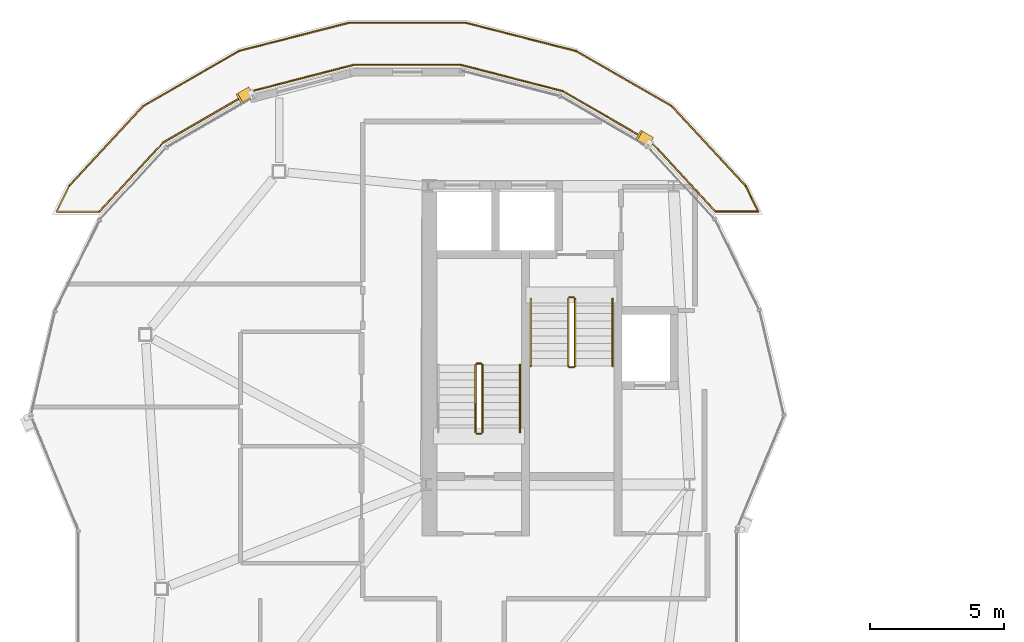
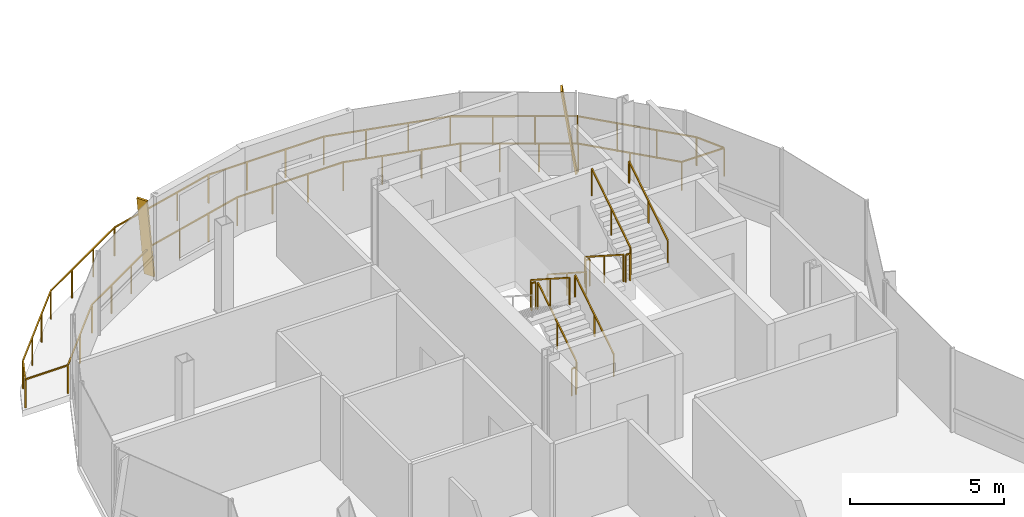
# One storey, part 18 of 20: 20 railings, 2 shading devices.
"""IFC4 building model written with IfcOpenShell, lengths in metres."""

from ifc_helpers import new_model, si_unit, direction, frame, origin, origin_2d, place, context, subcontext, project, spatial, rectangle, extrude, material, material_profile, profile_set, type_object, element, save


model = new_model("IFC4")

# Units and contexts
model_context = context("Model", 3, precision=1e-05, world=origin(), true_north=direction((0.0, 1.0)))
body_context = subcontext(model_context, "Body", "Model", "MODEL_VIEW")
ifc_project = project(units=[si_unit("LENGTHUNIT", "METRE"), si_unit("AREAUNIT", "SQUARE_METRE"), si_unit("VOLUMEUNIT", "CUBIC_METRE"), si_unit("PLANEANGLEUNIT", "RADIAN"), si_unit("MASSUNIT", "GRAM", prefix="KILO"), si_unit("THERMODYNAMICTEMPERATUREUNIT", "KELVIN"), si_unit("POWERUNIT", "WATT")], contexts=[model_context])

# Site, building, storey
site_placement = place(None, origin())
site = spatial("IfcSite", under=ifc_project, at=site_placement, CompositionType="ELEMENT")
building_placement = place(site_placement, origin())
building = spatial("IfcBuilding", under=site, at=building_placement, Name="Cundina Bronze Exchange", CompositionType="ELEMENT")
storey_placement = place(building_placement, frame((0.0, 0.0, 282.800048828125)))
storey = spatial("IfcBuildingStorey", under=building, at=storey_placement, Name="L75", CompositionType="ELEMENT", Elevation=282.800048828125)

# Railings
ifc_material_1 = material(Name="Heat-Strengthened Solar-Control Bronze Safety Glass 28mm", Category="glass")
railing_type_1 = type_object("IfcRailingType", Name="RLG-BAL-1150", PredefinedType="BALUSTRADE", material=ifc_material_1)
railing_1_placement = place(storey_placement, frame((-44.640625, 15.07470703125, 0.0)))
element("IfcRailing", 1, at=railing_1_placement, inside=storey, type_object=railing_type_1, Name="L75 Perimeter Safety Guardrail 01", PredefinedType="BALUSTRADE", context=body_context, shape_type="SweptSolid", body=[
    extrude(rectangle(XDim=0.048095703125, YDim=0.048095703125, at=origin_2d()), frame((0.0, 0.0, 1.1259765625), z_axis=(0.680478858048, 0.732767714729, 0.0), x_axis=(-0.732767714729, 0.680478858048, 0.0)), (0.0, 0.0, 1.0), 4.048095703125),
    extrude(rectangle(XDim=0.048095703125, YDim=0.048095703125, at=origin_2d()), frame((2.754638671875, 2.96630859375, 1.1259765625), z_axis=(0.866464594672, 0.499238526338, 0.0), x_axis=(-0.499238526338, 0.866464594672, 0.0)), (0.0, 0.0, 1.0), 4.13525390625),
    extrude(rectangle(XDim=0.0419921875, YDim=0.0419921875, at=origin_2d()), origin(), (0.0, 0.0, 1.0), 1.101806640625),
    extrude(rectangle(XDim=0.0419921875, YDim=0.0419921875, at=origin_2d()), frame((0.918212890625, 0.98876953125, 0.0)), (0.0, 0.0, 1.0), 1.101806640625),
    extrude(rectangle(XDim=0.0419921875, YDim=0.0419921875, at=origin_2d()), frame((1.83642578125, 1.9775390625, 0.0)), (0.0, 0.0, 1.0), 1.101806640625),
    extrude(rectangle(XDim=0.0419921875, YDim=0.0419921875, at=origin_2d()), frame((2.754638671875, 2.96630859375, 0.0)), (0.0, 0.0, 1.0), 1.101806640625),
    extrude(rectangle(XDim=0.0419921875, YDim=0.0419921875, at=origin_2d()), frame((3.948974609375, 3.654541015625, 0.0)), (0.0, 0.0, 1.0), 1.101806640625),
    extrude(rectangle(XDim=0.0419921875, YDim=0.0419921875, at=origin_2d()), frame((5.143310546875, 4.342529296875, 0.0)), (0.0, 0.0, 1.0), 1.101806640625),
    extrude(rectangle(XDim=0.0419921875, YDim=0.0419921875, at=origin_2d()), frame((6.337646484375, 5.03076171875, 0.0)), (0.0, 0.0, 1.0), 1.101806640625),
])
railing_2_placement = place(storey_placement, frame((-38.302978515625, 20.10546875, 0.0)))
element("IfcRailing", 2, at=railing_2_placement, inside=storey, type_object=railing_type_1, Name="L75 Perimeter Safety Guardrail 02", PredefinedType="BALUSTRADE", context=body_context, shape_type="SweptSolid", body=[
    extrude(rectangle(XDim=0.048095703125, YDim=0.048095703125, at=origin_2d()), frame((0.0, 0.0, 1.1259765625), z_axis=(0.968741395097, 0.248072790578, 0.0), x_axis=(-0.248072790578, 0.968741395097, 0.0)), (0.0, 0.0, 1.0), 4.271240234375),
    extrude(rectangle(XDim=0.048095703125, YDim=0.048095703125, at=origin_2d()), frame((4.1376953125, 1.0595703125, 1.1259765625), z_axis=(1.0, 0.0, 0.0), x_axis=(0.0, 1.0, 0.0)), (0.0, 0.0, 1.0), 4.33056640625),
    extrude(rectangle(XDim=0.0419921875, YDim=0.0419921875, at=origin_2d()), origin(), (0.0, 0.0, 1.0), 1.101806640625),
    extrude(rectangle(XDim=0.0419921875, YDim=0.0419921875, at=origin_2d()), frame((1.379150390625, 0.353271484375, 0.0)), (0.0, 0.0, 1.0), 1.101806640625),
    extrude(rectangle(XDim=0.0419921875, YDim=0.0419921875, at=origin_2d()), frame((2.758544921875, 0.706298828125, 0.0)), (0.0, 0.0, 1.0), 1.101806640625),
    extrude(rectangle(XDim=0.0419921875, YDim=0.0419921875, at=origin_2d()), frame((4.1376953125, 1.0595703125, 0.0)), (0.0, 0.0, 1.0), 1.101806640625),
    extrude(rectangle(XDim=0.0419921875, YDim=0.0419921875, at=origin_2d()), frame((5.581298828125, 1.0595703125, 0.0)), (0.0, 0.0, 1.0), 1.101806640625),
    extrude(rectangle(XDim=0.0419921875, YDim=0.0419921875, at=origin_2d()), frame((7.024658203125, 1.0595703125, 0.0)), (0.0, 0.0, 1.0), 1.101806640625),
    extrude(rectangle(XDim=0.0419921875, YDim=0.0419921875, at=origin_2d()), frame((8.46826171875, 1.0595703125, 0.0)), (0.0, 0.0, 1.0), 1.101806640625),
])
railing_3_placement = place(storey_placement, frame((-29.834716796875, 21.1650390625, 0.0)))
element("IfcRailing", 3, at=railing_3_placement, inside=storey, type_object=railing_type_1, Name="L75 Perimeter Safety Guardrail 03", PredefinedType="BALUSTRADE", context=body_context, shape_type="SweptSolid", body=[
    extrude(rectangle(XDim=0.048095703125, YDim=0.048095703125, at=origin_2d()), frame((0.0, 0.0, 1.1259765625), z_axis=(0.968741395097, -0.248072790578, 0.0), x_axis=(0.248072790578, 0.968741395097, 0.0)), (0.0, 0.0, 1.0), 4.271240234375),
    extrude(rectangle(XDim=0.048095703125, YDim=0.048095703125, at=origin_2d()), frame((4.1376953125, -1.0595703125, 1.1259765625), z_axis=(0.866464594672, -0.499238526338, 0.0), x_axis=(0.499238526338, 0.866464594672, 0.0)), (0.0, 0.0, 1.0), 4.13525390625),
    extrude(rectangle(XDim=0.0419921875, YDim=0.0419921875, at=origin_2d()), origin(), (0.0, 0.0, 1.0), 1.101806640625),
    extrude(rectangle(XDim=0.0419921875, YDim=0.0419921875, at=origin_2d()), frame((1.379150390625, -0.353271484375, 0.0)), (0.0, 0.0, 1.0), 1.101806640625),
    extrude(rectangle(XDim=0.0419921875, YDim=0.0419921875, at=origin_2d()), frame((2.758544921875, -0.706298828125, 0.0)), (0.0, 0.0, 1.0), 1.101806640625),
    extrude(rectangle(XDim=0.0419921875, YDim=0.0419921875, at=origin_2d()), frame((4.1376953125, -1.0595703125, 0.0)), (0.0, 0.0, 1.0), 1.101806640625),
    extrude(rectangle(XDim=0.0419921875, YDim=0.0419921875, at=origin_2d()), frame((5.33203125, -1.747802734375, 0.0)), (0.0, 0.0, 1.0), 1.101806640625),
    extrude(rectangle(XDim=0.0419921875, YDim=0.0419921875, at=origin_2d()), frame((6.5263671875, -2.435791015625, 0.0)), (0.0, 0.0, 1.0), 1.101806640625),
    extrude(rectangle(XDim=0.0419921875, YDim=0.0419921875, at=origin_2d()), frame((7.720703125, -3.1240234375, 0.0)), (0.0, 0.0, 1.0), 1.101806640625),
])
railing_4_placement = place(storey_placement, frame((-22.114013671875, 18.041015625, 0.0)))
element("IfcRailing", 4, at=railing_4_placement, inside=storey, type_object=railing_type_1, Name="L75 Perimeter Safety Guardrail 04", PredefinedType="BALUSTRADE", context=body_context, shape_type="SweptSolid", body=[
    extrude(rectangle(XDim=0.048095703125, YDim=0.048095703125, at=origin_2d()), frame((0.0, 0.0, 1.1259765625), z_axis=(0.680478858048, -0.732767714729, 0.0), x_axis=(0.732767714729, 0.680478858048, 0.0)), (0.0, 0.0, 1.0), 4.048095703125),
    extrude(rectangle(XDim=0.048095703125, YDim=0.048095703125, at=origin_2d()), frame((2.754638671875, -2.96630859375, 1.1259765625), z_axis=(0.43927470941, -0.898352786868, 0.0), x_axis=(0.898352786868, 0.43927470941, 0.0)), (0.0, 0.0, 1.0), 1.0849609375),
    extrude(rectangle(XDim=0.0419921875, YDim=0.0419921875, at=origin_2d()), origin(), (0.0, 0.0, 1.0), 1.101806640625),
    extrude(rectangle(XDim=0.0419921875, YDim=0.0419921875, at=origin_2d()), frame((0.918212890625, -0.98876953125, 0.0)), (0.0, 0.0, 1.0), 1.101806640625),
    extrude(rectangle(XDim=0.0419921875, YDim=0.0419921875, at=origin_2d()), frame((1.83642578125, -1.9775390625, 0.0)), (0.0, 0.0, 1.0), 1.101806640625),
    extrude(rectangle(XDim=0.0419921875, YDim=0.0419921875, at=origin_2d()), frame((2.754638671875, -2.96630859375, 0.0)), (0.0, 0.0, 1.0), 1.101806640625),
    extrude(rectangle(XDim=0.0419921875, YDim=0.0419921875, at=origin_2d()), frame((3.231201171875, -3.94091796875, 0.0)), (0.0, 0.0, 1.0), 1.101806640625),
])
railing_5_placement = place(storey_placement, frame((-18.8828125, 14.10009765625, 0.0)))
element("IfcRailing", 5, at=railing_5_placement, inside=storey, type_object=railing_type_1, Name="L75 Perimeter Safety Guardrail 05", PredefinedType="BALUSTRADE", context=body_context, shape_type="SweptSolid", body=[
    extrude(rectangle(XDim=0.048095703125, YDim=0.048095703125, at=origin_2d()), frame((0.0, 0.0, 1.1259765625), z_axis=(-1.0, 0.0, 0.0), x_axis=(0.0, -1.0, 0.0)), (0.0, 0.0, 1.0), 1.595458984375),
    extrude(rectangle(XDim=0.048095703125, YDim=0.048095703125, at=origin_2d()), frame((-1.595458984375, 0.0, 1.1259765625), z_axis=(-0.679395599719, 0.733772184729, 0.0), x_axis=(-0.733772184729, -0.679395599719, 0.0)), (0.0, 0.0, 1.0), 3.5244140625),
    extrude(rectangle(XDim=0.0419921875, YDim=0.0419921875, at=origin_2d()), origin(), (0.0, 0.0, 1.0), 1.101806640625),
    extrude(rectangle(XDim=0.0419921875, YDim=0.0419921875, at=origin_2d()), frame((-1.595458984375, 0.0, 0.0)), (0.0, 0.0, 1.0), 1.101806640625),
    extrude(rectangle(XDim=0.0419921875, YDim=0.0419921875, at=origin_2d()), frame((-2.792724609375, 1.29296875, 0.0)), (0.0, 0.0, 1.0), 1.101806640625),
    extrude(rectangle(XDim=0.0419921875, YDim=0.0419921875, at=origin_2d()), frame((-3.989990234375, 2.586181640625, 0.0)), (0.0, 0.0, 1.0), 1.101806640625),
])
railing_6_placement = place(storey_placement, frame((-22.872802734375, 16.686279296875, 0.0)))
element("IfcRailing", 6, at=railing_6_placement, inside=storey, type_object=railing_type_1, Name="L75 Perimeter Safety Guardrail 06", PredefinedType="BALUSTRADE", context=body_context, shape_type="SweptSolid", body=[
    extrude(rectangle(XDim=0.048095703125, YDim=0.048095703125, at=origin_2d()), frame((0.0, 0.0, 1.1259765625), z_axis=(-0.86517535854, 0.501469439721, 0.0), x_axis=(-0.501469439721, -0.86517535854, 0.0)), (0.0, 0.0, 1.0), 3.82080078125),
    extrude(rectangle(XDim=0.048095703125, YDim=0.048095703125, at=origin_2d()), frame((-3.3056640625, 1.916015625, 1.1259765625), z_axis=(-0.968310500269, 0.249749424563, 0.0), x_axis=(-0.249749424563, -0.968310500269, 0.0)), (0.0, 0.0, 1.0), 3.9619140625),
    extrude(rectangle(XDim=0.0419921875, YDim=0.0419921875, at=origin_2d()), origin(), (0.0, 0.0, 1.0), 1.101806640625),
    extrude(rectangle(XDim=0.0419921875, YDim=0.0419921875, at=origin_2d()), frame((-1.101806640625, 0.638671875, 0.0)), (0.0, 0.0, 1.0), 1.101806640625),
    extrude(rectangle(XDim=0.0419921875, YDim=0.0419921875, at=origin_2d()), frame((-2.203857421875, 1.27734375, 0.0)), (0.0, 0.0, 1.0), 1.101806640625),
    extrude(rectangle(XDim=0.0419921875, YDim=0.0419921875, at=origin_2d()), frame((-3.3056640625, 1.916015625, 0.0)), (0.0, 0.0, 1.0), 1.101806640625),
    extrude(rectangle(XDim=0.0419921875, YDim=0.0419921875, at=origin_2d()), frame((-4.58447265625, 2.245849609375, 0.0)), (0.0, 0.0, 1.0), 1.101806640625),
    extrude(rectangle(XDim=0.0419921875, YDim=0.0419921875, at=origin_2d()), frame((-5.86328125, 2.57568359375, 0.0)), (0.0, 0.0, 1.0), 1.101806640625),
    extrude(rectangle(XDim=0.0419921875, YDim=0.0419921875, at=origin_2d()), frame((-7.14208984375, 2.905517578125, 0.0)), (0.0, 0.0, 1.0), 1.101806640625),
])
railing_7_placement = place(storey_placement, frame((-30.014892578125, 19.591796875, 0.0)))
element("IfcRailing", 7, at=railing_7_placement, inside=storey, type_object=railing_type_1, Name="L75 Perimeter Safety Guardrail 07", PredefinedType="BALUSTRADE", context=body_context, shape_type="SweptSolid", body=[
    extrude(rectangle(XDim=0.048095703125, YDim=0.048095703125, at=origin_2d()), frame((0.0, 0.0, 1.1259765625), z_axis=(-0.999999992474, -0.000122684332, 0.0), x_axis=(0.000122684332, -0.999999992474, 0.0)), (0.0, 0.0, 1.0), 3.97998046875),
    extrude(rectangle(XDim=0.048095703125, YDim=0.048095703125, at=origin_2d()), frame((-3.97998046875, -0.00048828125, 1.1259765625), z_axis=(-0.968349470457, -0.249598283379, 0.0), x_axis=(0.249598283379, -0.968349470457, 0.0)), (0.0, 0.0, 1.0), 3.93310546875),
    extrude(rectangle(XDim=0.0419921875, YDim=0.0419921875, at=origin_2d()), origin(), (0.0, 0.0, 1.0), 1.101806640625),
    extrude(rectangle(XDim=0.0419921875, YDim=0.0419921875, at=origin_2d()), frame((-1.32666015625, -0.000244140625, 0.0)), (0.0, 0.0, 1.0), 1.101806640625),
    extrude(rectangle(XDim=0.0419921875, YDim=0.0419921875, at=origin_2d()), frame((-2.6533203125, -0.000244140625, 0.0)), (0.0, 0.0, 1.0), 1.101806640625),
    extrude(rectangle(XDim=0.0419921875, YDim=0.0419921875, at=origin_2d()), frame((-3.97998046875, -0.00048828125, 0.0)), (0.0, 0.0, 1.0), 1.101806640625),
    extrude(rectangle(XDim=0.0419921875, YDim=0.0419921875, at=origin_2d()), frame((-5.24951171875, -0.32763671875, 0.0)), (0.0, 0.0, 1.0), 1.101806640625),
    extrude(rectangle(XDim=0.0419921875, YDim=0.0419921875, at=origin_2d()), frame((-6.51904296875, -0.655029296875, 0.0)), (0.0, 0.0, 1.0), 1.101806640625),
    extrude(rectangle(XDim=0.0419921875, YDim=0.0419921875, at=origin_2d()), frame((-7.78857421875, -0.982177734375, 0.0)), (0.0, 0.0, 1.0), 1.101806640625),
])
railing_8_placement = place(storey_placement, frame((-37.803466796875, 18.609619140625, 0.0)))
element("IfcRailing", 8, at=railing_8_placement, inside=storey, type_object=railing_type_1, Name="L75 Perimeter Safety Guardrail 08", PredefinedType="BALUSTRADE", context=body_context, shape_type="SweptSolid", body=[
    extrude(rectangle(XDim=0.048095703125, YDim=0.048095703125, at=origin_2d()), frame((0.0, 0.0, 1.1259765625), z_axis=(-0.865530732652, -0.50085581841, 0.0), x_axis=(0.50085581841, -0.865530732652, 0.0)), (0.0, 0.0, 1.0), 3.840087890625),
    extrude(rectangle(XDim=0.048095703125, YDim=0.048095703125, at=origin_2d()), frame((-3.32373046875, -1.92333984375, 1.1259765625), z_axis=(-0.679395599719, -0.733772184729, 0.0), x_axis=(0.733772184729, -0.679395599719, 0.0)), (0.0, 0.0, 1.0), 3.5244140625),
    extrude(rectangle(XDim=0.0419921875, YDim=0.0419921875, at=origin_2d()), origin(), (0.0, 0.0, 1.0), 1.101806640625),
    extrude(rectangle(XDim=0.0419921875, YDim=0.0419921875, at=origin_2d()), frame((-1.10791015625, -0.64111328125, 0.0)), (0.0, 0.0, 1.0), 1.101806640625),
    extrude(rectangle(XDim=0.0419921875, YDim=0.0419921875, at=origin_2d()), frame((-2.2158203125, -1.2822265625, 0.0)), (0.0, 0.0, 1.0), 1.101806640625),
    extrude(rectangle(XDim=0.0419921875, YDim=0.0419921875, at=origin_2d()), frame((-3.32373046875, -1.92333984375, 0.0)), (0.0, 0.0, 1.0), 1.101806640625),
    extrude(rectangle(XDim=0.0419921875, YDim=0.0419921875, at=origin_2d()), frame((-4.52099609375, -3.21630859375, 0.0)), (0.0, 0.0, 1.0), 1.101806640625),
    extrude(rectangle(XDim=0.0419921875, YDim=0.0419921875, at=origin_2d()), frame((-5.71826171875, -4.509521484375, 0.0)), (0.0, 0.0, 1.0), 1.101806640625),
])
railing_9_placement = place(storey_placement, frame((-43.521728515625, 14.10009765625, 0.0)))
element("IfcRailing", 9, at=railing_9_placement, inside=storey, type_object=railing_type_1, Name="L75 Perimeter Safety Guardrail 09", PredefinedType="BALUSTRADE", context=body_context, shape_type="SweptSolid", body=[
    extrude(rectangle(XDim=0.048095703125, YDim=0.048095703125, at=origin_2d()), frame((0.0, 0.0, 1.1259765625), z_axis=(-1.0, 0.0, 0.0), x_axis=(0.0, -1.0, 0.0)), (0.0, 0.0, 1.0), 1.595458984375),
    extrude(rectangle(XDim=0.048095703125, YDim=0.048095703125, at=origin_2d()), frame((-1.595458984375, 0.0, 1.1259765625), z_axis=(0.43927470941, 0.898352786868, 0.0), x_axis=(-0.898352786868, 0.43927470941, 0.0)), (0.0, 0.0, 1.0), 1.0849609375),
    extrude(rectangle(XDim=0.0419921875, YDim=0.0419921875, at=origin_2d()), origin(), (0.0, 0.0, 1.0), 1.101806640625),
    extrude(rectangle(XDim=0.0419921875, YDim=0.0419921875, at=origin_2d()), frame((-1.595458984375, 0.0, 0.0)), (0.0, 0.0, 1.0), 1.101806640625),
    extrude(rectangle(XDim=0.0419921875, YDim=0.0419921875, at=origin_2d()), frame((-1.118896484375, 0.974609375, 0.0)), (0.0, 0.0, 1.0), 1.101806640625),
])
ifc_material_2 = material(Name="Steel ASTM A36 Painted", Category="steel")
railing_type_2 = type_object("IfcRailingType", Name="RLG-HND-900", PredefinedType="HANDRAIL", material=ifc_material_2)
railing_10_placement = place(storey_placement, frame((-27.7900390625, 5.85009765625, 0.179931640625)))
element("IfcRailing", 10, at=railing_10_placement, inside=storey, type_object=railing_type_2, Name="L75 ST-W1 stair handrail 1", PredefinedType="HANDRAIL", context=body_context, shape_type="SweptSolid", body=[
    extrude(rectangle(XDim=0.048095703125, YDim=0.048095703125, at=origin_2d()), frame((0.0, 0.0, 0.8759765625), z_axis=(0.0, 0.841162588446, 0.540782303519), x_axis=(-1.0, 0.0, 0.0)), (0.0, 0.0, 1.0), 2.995849609375),
    extrude(rectangle(XDim=0.0419921875, YDim=0.0419921875, at=origin_2d()), origin(), (0.0, 0.0, 1.0), 0.851806640625),
    extrude(rectangle(XDim=0.0419921875, YDim=0.0419921875, at=origin_2d()), frame((0.0, 1.260009765625, 0.81005859375)), (0.0, 0.0, 1.0), 0.851806640625),
    extrude(rectangle(XDim=0.0419921875, YDim=0.0419921875, at=origin_2d()), frame((0.0, 2.52001953125, 1.6201171875)), (0.0, 0.0, 1.0), 0.851806640625),
])
railing_11_placement = place(storey_placement, frame((-27.389892578125, 10.85009765625, 0.179931640625)))
element("IfcRailing", 11, at=railing_11_placement, inside=storey, type_object=railing_type_2, Name="L75 ST-W2 stair handrail 1", PredefinedType="HANDRAIL", context=body_context, shape_type="SweptSolid", body=[
    extrude(rectangle(XDim=0.048095703125, YDim=0.048095703125, at=origin_2d()), frame((0.0, 0.0, 0.8759765625), z_axis=(0.0, -0.841162588446, 0.540782303519), x_axis=(1.0, 0.0, 0.0)), (0.0, 0.0, 1.0), 2.995849609375),
    extrude(rectangle(XDim=0.0419921875, YDim=0.0419921875, at=origin_2d()), origin(), (0.0, 0.0, 1.0), 0.851806640625),
    extrude(rectangle(XDim=0.0419921875, YDim=0.0419921875, at=origin_2d()), frame((0.0, -1.260009765625, 0.81005859375)), (0.0, 0.0, 1.0), 0.851806640625),
    extrude(rectangle(XDim=0.0419921875, YDim=0.0419921875, at=origin_2d()), frame((0.0, -2.52001953125, 1.6201171875)), (0.0, 0.0, 1.0), 0.851806640625),
])
railing_12_placement = place(storey_placement, frame((-24.330078125, 8.330078125, 1.97998046875)))
element("IfcRailing", 12, at=railing_12_placement, inside=storey, type_object=railing_type_2, Name="L75 ST-W2 stair handrail 2", PredefinedType="HANDRAIL", context=body_context, shape_type="SweptSolid", body=[
    extrude(rectangle(XDim=0.048095703125, YDim=0.048095703125, at=origin_2d()), frame((0.0, 0.0, 0.8759765625), z_axis=(0.0, 0.841199657755, 0.540724639528), x_axis=(-1.0, 0.0, 0.0)), (0.0, 0.0, 1.0), 2.995849609375),
    extrude(rectangle(XDim=0.0419921875, YDim=0.0419921875, at=origin_2d()), origin(), (0.0, 0.0, 1.0), 0.851806640625),
    extrude(rectangle(XDim=0.0419921875, YDim=0.0419921875, at=origin_2d()), frame((0.0, 1.260009765625, 0.81005859375)), (0.0, 0.0, 1.0), 0.851806640625),
    extrude(rectangle(XDim=0.0419921875, YDim=0.0419921875, at=origin_2d()), frame((0.0, 2.52001953125, 1.619873046875)), (0.0, 0.0, 1.0), 0.851806640625),
])
railing_type_3 = type_object("IfcRailingType", Name="RLG-STG-1100", PredefinedType="GUARDRAIL", material=ifc_material_2)
railing_13_placement = place(storey_placement, frame((-29.18994140625, 5.85009765625, 0.179931640625)))
element("IfcRailing", 13, at=railing_13_placement, inside=storey, type_object=railing_type_3, Name="L75 ST-W1 stair guard 1", PredefinedType="GUARDRAIL", context=body_context, shape_type="SweptSolid", body=[
    extrude(rectangle(XDim=0.048095703125, YDim=0.048095703125, at=origin_2d()), frame((0.0, 0.0, 1.076171875), z_axis=(0.0, 0.841162588446, 0.540782303519), x_axis=(-1.0, 0.0, 0.0)), (0.0, 0.0, 1.0), 2.995849609375),
    extrude(rectangle(XDim=0.0419921875, YDim=0.0419921875, at=origin_2d()), origin(), (0.0, 0.0, 1.0), 1.052001953125),
    extrude(rectangle(XDim=0.0419921875, YDim=0.0419921875, at=origin_2d()), frame((0.0, 1.260009765625, 0.81005859375)), (0.0, 0.0, 1.0), 1.052001953125),
    extrude(rectangle(XDim=0.0419921875, YDim=0.0419921875, at=origin_2d()), frame((0.0, 2.52001953125, 1.6201171875)), (0.0, 0.0, 1.0), 1.052001953125),
])
railing_14_placement = place(storey_placement, frame((-29.239990234375, 8.419921875, 1.800048828125)))
element("IfcRailing", 14, at=railing_14_placement, inside=storey, type_object=railing_type_3, Name="L75 ST-W1 stair guard 2", PredefinedType="GUARDRAIL", context=body_context, shape_type="SweptSolid", body=[
    extrude(rectangle(XDim=0.048095703125, YDim=0.048095703125, at=origin_2d()), frame((0.0, 0.0, 1.076171875), z_axis=(-1.0, 0.0, 0.0), x_axis=(0.0, -1.0, 0.0)), (0.0, 0.0, 1.0), 0.159912109375),
    extrude(rectangle(XDim=0.0419921875, YDim=0.0419921875, at=origin_2d()), origin(), (0.0, 0.0, 1.0), 1.052001953125),
    extrude(rectangle(XDim=0.0419921875, YDim=0.0419921875, at=origin_2d()), frame((-0.159912109375, 0.0, 0.0)), (0.0, 0.0, 1.0), 1.052001953125),
])
railing_15_placement = place(storey_placement, frame((-29.449951171875, 8.3701171875, 1.97998046875)))
element("IfcRailing", 15, at=railing_15_placement, inside=storey, type_object=railing_type_3, Name="L75 ST-W1 stair guard 3", PredefinedType="GUARDRAIL", context=body_context, shape_type="SweptSolid", body=[
    extrude(rectangle(XDim=0.048095703125, YDim=0.048095703125, at=origin_2d()), frame((0.0, 0.0, 1.076171875), z_axis=(0.0, -0.841199657755, 0.540724639528), x_axis=(1.0, 0.0, 0.0)), (0.0, 0.0, 1.0), 2.995849609375),
    extrude(rectangle(XDim=0.0419921875, YDim=0.0419921875, at=origin_2d()), origin(), (0.0, 0.0, 1.0), 1.052001953125),
    extrude(rectangle(XDim=0.0419921875, YDim=0.0419921875, at=origin_2d()), frame((0.0, -1.260009765625, 0.81005859375)), (0.0, 0.0, 1.0), 1.052001953125),
    extrude(rectangle(XDim=0.0419921875, YDim=0.0419921875, at=origin_2d()), frame((0.0, -2.52001953125, 1.619873046875)), (0.0, 0.0, 1.0), 1.052001953125),
])
railing_16_placement = place(storey_placement, frame((-29.239990234375, 5.800048828125, 0.0)))
element("IfcRailing", 16, at=railing_16_placement, inside=storey, type_object=railing_type_3, Name="L75 ST-W1 stair guard 4", PredefinedType="GUARDRAIL", context=body_context, shape_type="SweptSolid", body=[
    extrude(rectangle(XDim=0.048095703125, YDim=0.048095703125, at=origin_2d()), frame((0.0, 0.0, 1.076171875), z_axis=(-1.0, 0.0, 0.0), x_axis=(0.0, -1.0, 0.0)), (0.0, 0.0, 1.0), 0.159912109375),
    extrude(rectangle(XDim=0.0419921875, YDim=0.0419921875, at=origin_2d()), origin(), (0.0, 0.0, 1.0), 1.052001953125),
    extrude(rectangle(XDim=0.0419921875, YDim=0.0419921875, at=origin_2d()), frame((-0.159912109375, 0.0, 0.0)), (0.0, 0.0, 1.0), 1.052001953125),
])
railing_17_placement = place(storey_placement, frame((-25.989990234375, 10.85009765625, 0.179931640625)))
element("IfcRailing", 17, at=railing_17_placement, inside=storey, type_object=railing_type_3, Name="L75 ST-W2 stair guard 1", PredefinedType="GUARDRAIL", context=body_context, shape_type="SweptSolid", body=[
    extrude(rectangle(XDim=0.048095703125, YDim=0.048095703125, at=origin_2d()), frame((0.0, 0.0, 1.076171875), z_axis=(0.0, -0.841162588446, 0.540782303519), x_axis=(1.0, 0.0, 0.0)), (0.0, 0.0, 1.0), 2.995849609375),
    extrude(rectangle(XDim=0.0419921875, YDim=0.0419921875, at=origin_2d()), origin(), (0.0, 0.0, 1.0), 1.052001953125),
    extrude(rectangle(XDim=0.0419921875, YDim=0.0419921875, at=origin_2d()), frame((0.0, -1.260009765625, 0.81005859375)), (0.0, 0.0, 1.0), 1.052001953125),
    extrude(rectangle(XDim=0.0419921875, YDim=0.0419921875, at=origin_2d()), frame((0.0, -2.52001953125, 1.6201171875)), (0.0, 0.0, 1.0), 1.052001953125),
])
railing_18_placement = place(storey_placement, frame((-25.93994140625, 8.280029296875, 1.800048828125)))
element("IfcRailing", 18, at=railing_18_placement, inside=storey, type_object=railing_type_3, Name="L75 ST-W2 stair guard 2", PredefinedType="GUARDRAIL", context=body_context, shape_type="SweptSolid", body=[
    extrude(rectangle(XDim=0.048095703125, YDim=0.048095703125, at=origin_2d()), frame((0.0, 0.0, 1.076171875), z_axis=(1.0, 0.0, 0.0), x_axis=(0.0, 1.0, 0.0)), (0.0, 0.0, 1.0), 0.159912109375),
    extrude(rectangle(XDim=0.0419921875, YDim=0.0419921875, at=origin_2d()), origin(), (0.0, 0.0, 1.0), 1.052001953125),
    extrude(rectangle(XDim=0.0419921875, YDim=0.0419921875, at=origin_2d()), frame((0.159912109375, 0.0, 0.0)), (0.0, 0.0, 1.0), 1.052001953125),
])
railing_19_placement = place(storey_placement, frame((-25.72998046875, 8.330078125, 1.97998046875)))
element("IfcRailing", 19, at=railing_19_placement, inside=storey, type_object=railing_type_3, Name="L75 ST-W2 stair guard 3", PredefinedType="GUARDRAIL", context=body_context, shape_type="SweptSolid", body=[
    extrude(rectangle(XDim=0.048095703125, YDim=0.048095703125, at=origin_2d()), frame((0.0, 0.0, 1.076171875), z_axis=(0.0, 0.841199657755, 0.540724639528), x_axis=(-1.0, 0.0, 0.0)), (0.0, 0.0, 1.0), 2.995849609375),
    extrude(rectangle(XDim=0.0419921875, YDim=0.0419921875, at=origin_2d()), origin(), (0.0, 0.0, 1.0), 1.052001953125),
    extrude(rectangle(XDim=0.0419921875, YDim=0.0419921875, at=origin_2d()), frame((0.0, 1.260009765625, 0.81005859375)), (0.0, 0.0, 1.0), 1.052001953125),
    extrude(rectangle(XDim=0.0419921875, YDim=0.0419921875, at=origin_2d()), frame((0.0, 2.52001953125, 1.619873046875)), (0.0, 0.0, 1.0), 1.052001953125),
])
railing_20_placement = place(storey_placement, frame((-25.93994140625, 10.89990234375, 0.0)))
element("IfcRailing", 20, at=railing_20_placement, inside=storey, type_object=railing_type_3, Name="L75 ST-W2 stair guard 4", PredefinedType="GUARDRAIL", context=body_context, shape_type="SweptSolid", body=[
    extrude(rectangle(XDim=0.048095703125, YDim=0.048095703125, at=origin_2d()), frame((0.0, 0.0, 1.076171875), z_axis=(1.0, 0.0, 0.0), x_axis=(0.0, 1.0, 0.0)), (0.0, 0.0, 1.0), 0.159912109375),
    extrude(rectangle(XDim=0.0419921875, YDim=0.0419921875, at=origin_2d()), origin(), (0.0, 0.0, 1.0), 1.052001953125),
    extrude(rectangle(XDim=0.0419921875, YDim=0.0419921875, at=origin_2d()), frame((0.159912109375, 0.0, 0.0)), (0.0, 0.0, 1.0), 1.052001953125),
])

# Shading devices
ifc_material_3 = material(Name="Anodised Bronze Aluminium 6063-T6", Category="aluminium")
ifc_material_profile = material_profile(ifc_material_3, rectangle(XDim=0.070068359375, YDim=0.3798828125, at=origin_2d()), Name="FIN70X380", Category="aluminium")
ifc_profile_set = profile_set([ifc_material_profile], Name="Anodised Bronze Aluminium 6063-T6")
shading_device_type = type_object("IfcShadingDeviceType", Name="SHD-FIN-BRZ380", PredefinedType="USERDEFINED", material=ifc_profile_set)
for number, where, z_axis, x_axis, name in (
    (21, (-22.923095703125, 16.72265625, 0.02001953125), (-0.124531070422, 0.072185558752, 0.989586407348), (0.856149775552, -0.496274943383, 0.14394006528), "L75 Diagonal Bronze Solar Fin 5"),
    (22, (-37.868408203125, 18.5810546875, 0.02001953125), (-0.124531728208, -0.072112729151, 0.989591634445), (0.856372650345, 0.495900682299, 0.143904124458), "L75 Diagonal Bronze Solar Fin 1"),
):
    element("IfcShadingDevice", number, at=place(storey_placement, frame(where, z_axis=z_axis, x_axis=x_axis)), inside=storey, type_object=shading_device_type, Name=name, ObjectType="FIN", PredefinedType="USERDEFINED", context=body_context, shape_type="SweptSolid", body=[
        extrude(rectangle(XDim=0.070068359375, YDim=0.3798828125, at=origin_2d()), origin(), (0.0, 0.0, 1.0), 3.334716796875),
    ])

save(model, "model.ifc")
